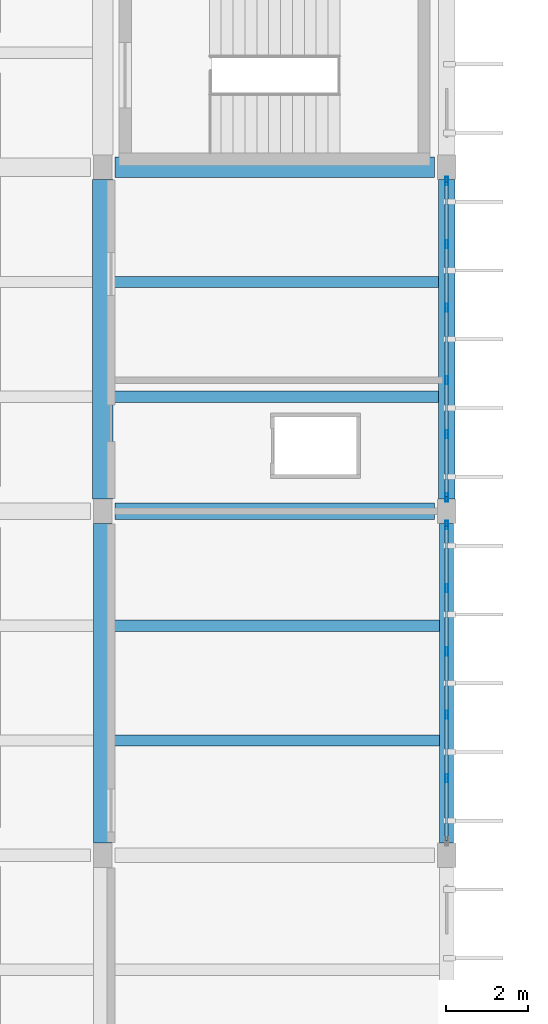
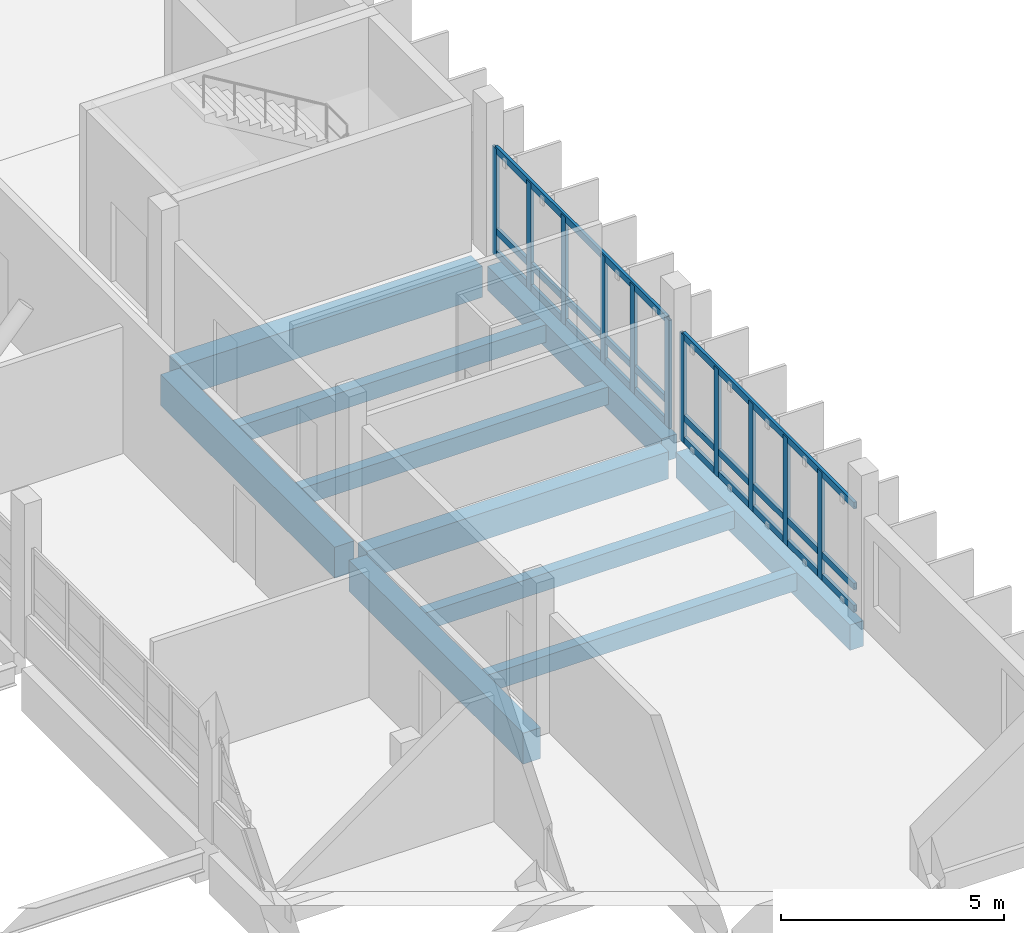
# One storey, part 32 of 107: 17 members, 10 beams, 2 elements without a shape of their own.
"""IFC4 building model written with IfcOpenShell, lengths in metres."""

import ifcopenshell
import ifcopenshell.guid

model = None  # the IFC model being written
_history = None  # IfcOwnerHistory: only IFC2X3 demands one
_inside = {}  # id of a spatial element -> (the spatial element, [elements in it])
_under = {}  # id of a project, library or spatial element -> (it, [spatial elements below it])
_declared = {}  # id of a project -> (the project, [libraries it declares])
_typed = {}  # id of a type object -> (the type object, [elements of that type])
_made_of = {}  # id of a material, layer set ... -> (it, [elements and type objects made of it])


def new_model(schema):
    """Start an empty IFC model of exactly this schema.

    Asked for "IFC4X3", IfcOpenShell would pick the latest addendum, in which some entities
    have other attributes; the version numbers below select the first issue.
    IFC2X3 requires an IfcOwnerHistory on every rooted entity: one is made here for all.
    """
    global model, _history
    if schema == "IFC4X3":
        model = ifcopenshell.file(schema_version=(4, 3, 0, 0))
    else:
        model = ifcopenshell.file(schema=schema)
    _inside.clear()
    _under.clear()
    _declared.clear()
    _typed.clear()
    _made_of.clear()
    _history = None
    if model.schema == "IFC2X3":
        org = make("IfcOrganization", Name="unknown")
        user = make(
            "IfcPersonAndOrganization",
            ThePerson=make("IfcPerson", FamilyName="unknown"),
            TheOrganization=org,
        )
        app = make(
            "IfcApplication",
            ApplicationDeveloper=org,
            Version="unknown",
            ApplicationFullName="unknown",
            ApplicationIdentifier="unknown",
        )
        _history = make(
            "IfcOwnerHistory",
            OwningUser=user,
            OwningApplication=app,
            ChangeAction="ADDED",
            CreationDate=0,
        )
    return model


def make(cls, **values):
    """One entity of the class cls with the attributes given. An attribute that is None is left unset."""
    return model.create_entity(
        cls, **{name: value for name, value in values.items() if value is not None}
    )


def rooted(cls, **values):
    """An entity with a GlobalId (a new one), such as an element, a storey or a relation."""
    return make(cls, GlobalId=ifcopenshell.guid.new(), OwnerHistory=_history, **values)


def si_unit(unit_type, name, prefix=None):
    """IfcSIUnit, for example si_unit("LENGTHUNIT", "METRE", prefix="MILLI")."""
    return make("IfcSIUnit", UnitType=unit_type, Prefix=prefix, Name=name)


def assignment(units):
    """IfcUnitAssignment: the units of a project."""
    return None if units is None else make("IfcUnitAssignment", Units=units)


def point(xyz):
    """IfcCartesianPoint."""
    return None if xyz is None else make("IfcCartesianPoint", Coordinates=xyz)


def direction(xyz):
    """IfcDirection."""
    return None if xyz is None else make("IfcDirection", DirectionRatios=xyz)


def frame(location, z_axis=None, x_axis=None):
    """IfcAxis2Placement3D, a coordinate frame: its origin and axes. An axis left out is left unset."""
    return make(
        "IfcAxis2Placement3D",
        Location=point(location),
        Axis=direction(z_axis),
        RefDirection=direction(x_axis),
    )


def frame_2d(location, x_axis=None):
    """IfcAxis2Placement2D, a coordinate frame in the plane: its origin and x axis."""
    return make(
        "IfcAxis2Placement2D", Location=point(location), RefDirection=direction(x_axis)
    )


def origin():
    """The frame at (0, 0, 0) with its axes left unset."""
    return frame((0.0, 0.0, 0.0))


def origin_2d():
    """The frame at (0, 0) in the plane with its x axis left unset."""
    return frame_2d((0.0, 0.0))


def place(relative_to, where):
    """IfcLocalPlacement: puts the frame where relative to a parent placement (None: the world)."""
    return make(
        "IfcLocalPlacement", PlacementRelTo=relative_to, RelativePlacement=where
    )


def context(
    kind, dimensions, precision=None, world=None, true_north=None, identifier=None
):
    """IfcGeometricRepresentationContext, for example the 3D "Model" context."""
    return make(
        "IfcGeometricRepresentationContext",
        ContextIdentifier=identifier,
        ContextType=kind,
        CoordinateSpaceDimension=dimensions,
        Precision=precision,
        WorldCoordinateSystem=world,
        TrueNorth=true_north,
    )


def subcontext(parent, identifier, kind, view, scale=None):
    """IfcGeometricRepresentationSubContext, for example "Body" below "Model"."""
    return make(
        "IfcGeometricRepresentationSubContext",
        ContextIdentifier=identifier,
        ContextType=kind,
        ParentContext=parent,
        TargetScale=scale,
        TargetView=view,
    )


def project(units=None, contexts=None):
    """IfcProject with its units and contexts."""
    return rooted(
        "IfcProject",
        Name="project",
        RepresentationContexts=contexts,
        UnitsInContext=assignment(units),
    )


def spatial(cls, under=None, at=None, **own):
    """A site, building, storey or space (cls), placed at a placement, below another one or the project."""
    s = rooted(cls, ObjectPlacement=at, **own)
    if under is not None:
        _under.setdefault(under.id(), (under, []))[1].append(s)
    return s


def profile(cls, at=None, kind="AREA", **sizes):
    """A parametric profile (cls). Its sizes go by their IFC names, for example OverallWidth=200.0."""
    return make(cls, ProfileType=kind, Position=at, **sizes)


def rectangle(**sizes):
    """IfcRectangleProfileDef."""
    return profile("IfcRectangleProfileDef", **sizes)


def hollow_rectangle(**sizes):
    """IfcRectangleHollowProfileDef."""
    return profile("IfcRectangleHollowProfileDef", **sizes)


def extrude(swept, where, along, depth):
    """IfcExtrudedAreaSolid: the profile swept, set in the frame where, extruded along a direction by depth."""
    return make(
        "IfcExtrudedAreaSolid",
        SweptArea=swept,
        Position=where,
        ExtrudedDirection=direction(along),
        Depth=depth,
    )


def shape(context_of_items, identifier, shape_type, items):
    """IfcShapeRepresentation: the items that make up one representation, for example the "Body"."""
    return make(
        "IfcShapeRepresentation",
        ContextOfItems=context_of_items,
        RepresentationIdentifier=identifier,
        RepresentationType=shape_type,
        Items=items,
    )


def material(Name=None, Category=None):
    """IfcMaterial."""
    return make("IfcMaterial", Name=Name, Category=Category)


def layer(
    of_material, thickness, ventilated=None, Name=None, Category=None, Priority=None
):
    """IfcMaterialLayer: one layer of a wall or slab, of a material (None: an air gap)."""
    return make(
        "IfcMaterialLayer",
        Material=of_material,
        LayerThickness=thickness,
        IsVentilated=ventilated,
        Name=Name,
        Category=Category,
        Priority=Priority,
    )


def layer_set(layers, Name=None):
    """IfcMaterialLayerSet."""
    return make("IfcMaterialLayerSet", MaterialLayers=layers, LayerSetName=Name)


def material_profile(
    of_material, cross_section, Name=None, Category=None, Priority=None
):
    """IfcMaterialProfile: a cross section and its material."""
    return make(
        "IfcMaterialProfile",
        Name=Name,
        Material=of_material,
        Profile=cross_section,
        Priority=Priority,
        Category=Category,
    )


def profile_set(profiles, Name=None, composite=None):
    """IfcMaterialProfileSet."""
    return make(
        "IfcMaterialProfileSet",
        Name=Name,
        MaterialProfiles=profiles,
        CompositeProfile=composite,
    )


def made_of(thing, what):
    """Note that an element or type object is made of a material, layer set ...; save() writes the relation."""
    if what is not None:
        _made_of.setdefault(what.id(), (what, []))[1].append(thing)
    return thing


def type_object(cls, material=None, **own):
    """A type object (cls), such as IfcWallType, which elements share."""
    return made_of(rooted(cls, **own), material)


def element(
    cls,
    number,
    at=None,
    inside=None,
    cuts=None,
    type_object=None,
    material=None,
    context=None,
    identifier="Body",
    shape_type=None,
    held_by="IfcProductDefinitionShape",
    body=None,
    shapes=None,
    **own,
):
    """One element of the class cls, such as IfcWall. Its Tag is "e" and its number.

    at: its placement. inside: the storey or other place that contains it. cuts: it is an
    opening in that element (IfcRelVoidsElement). A single representation is given by context,
    identifier, shape_type and body (its items); several are given by shapes. held_by: the class
    of the entity that holds the representations. save() writes the other relations.
    """
    e = rooted(cls, Tag="e%d" % number, ObjectPlacement=at, **own)
    if body is not None:
        shapes = [shape(context, identifier, shape_type, body)]
    if shapes is not None:
        e.Representation = make(held_by, Representations=shapes)
    if inside is not None:
        _inside.setdefault(inside.id(), (inside, []))[1].append(e)
    if cuts is not None:
        rooted(
            "IfcRelVoidsElement", RelatingBuildingElement=cuts, RelatedOpeningElement=e
        )
    if type_object is not None:
        _typed.setdefault(type_object.id(), (type_object, []))[1].append(e)
    return made_of(e, material)


def aggregate(whole, parts):
    """IfcRelAggregates: a whole, such as a stair, and the parts it consists of."""
    return rooted("IfcRelAggregates", RelatingObject=whole, RelatedObjects=parts)


def save(model, path):
    """Write the relations noted so far, then the file.

    IfcRelAggregates (storeys below a building ...), IfcRelContainedInSpatialStructure (elements
    in a storey), IfcRelDefinesByType, IfcRelAssociatesMaterial and IfcRelDeclares: one each for
    every whole, place, type object, material and project.
    """
    for whole, parts in _under.values():
        aggregate(whole, parts)
    for where, things in _inside.values():
        rooted(
            "IfcRelContainedInSpatialStructure",
            RelatedElements=things,
            RelatingStructure=where,
        )
    for kind, things in _typed.values():
        rooted("IfcRelDefinesByType", RelatedObjects=things, RelatingType=kind)
    for what, things in _made_of.values():
        rooted("IfcRelAssociatesMaterial", RelatedObjects=things, RelatingMaterial=what)
    for by, libraries in _declared.values():
        rooted("IfcRelDeclares", RelatingContext=by, RelatedDefinitions=libraries)
    model.write(path)


model = new_model("IFC4")

# Units and contexts
model_context = context("Model", 3, precision=1e-05, world=origin(), true_north=direction((0.0, 1.0)))
body_context = subcontext(model_context, "Body", "Model", "MODEL_VIEW")
ifc_project = project(units=[si_unit("LENGTHUNIT", "METRE"), si_unit("AREAUNIT", "SQUARE_METRE"), si_unit("VOLUMEUNIT", "CUBIC_METRE"), si_unit("PLANEANGLEUNIT", "RADIAN"), si_unit("MASSUNIT", "GRAM", prefix="KILO")], contexts=[model_context])

# Site, building, storey
site_placement = place(None, origin())
site = spatial("IfcSite", under=ifc_project, at=site_placement, CompositionType="ELEMENT")
building_placement = place(site_placement, origin())
building = spatial("IfcBuilding", under=site, at=building_placement, Name="Vireocrest Preparatory School", CompositionType="ELEMENT")
storey_placement = place(building_placement, frame((0.0, 0.0, 13.199951171875)))
storey = spatial("IfcBuildingStorey", under=building, at=storey_placement, Name="L03", CompositionType="ELEMENT", Elevation=13.199951171875)

# Curtain wall, members
ifc_material_1 = material(Name="Thermally broken aluminium EN AW-6063-T6", Category="aluminium")
ifc_layer = layer(ifc_material_1, 0.179931640625)
ifc_layer_set = layer_set([ifc_layer], Name="Thermally broken aluminium EN AW-6063-T6")
curtain_wall_type = type_object("IfcCurtainWallType", Name="Teaching Fin Curtain Wall 8400x4200", PredefinedType="USERDEFINED", material=ifc_layer_set)
curtain_wall_1_placement = place(storey_placement, origin())
curtain_wall_1 = element("IfcCurtainWall", 1, at=curtain_wall_1_placement, inside=storey, type_object=curtain_wall_type, Name="Curtain Wall CW03 CW_L03_CW03_1092_0609_132", ObjectType="CURTAIN WALL", PredefinedType="USERDEFINED")
ifc_material_profile_1 = material_profile(ifc_material_1, hollow_rectangle(XDim=0.074951171875, YDim=0.199951171875, WallThickness=0.0048828125, at=origin_2d()), Name="ALU 75x200x5")
ifc_profile_set_1 = profile_set([ifc_material_profile_1], Name="Thermally broken aluminium EN AW-6063-T6")
member_type_1 = type_object("IfcMemberType", Name="CW Mullion 75x200x5", PredefinedType="MULLION", material=ifc_profile_set_1)
member_1_placement = place(storey_placement, frame((109.199951171875, 62.48095703125, 0.0), z_axis=(0.0, 0.0, 1.0), x_axis=(1.0, 0.0, 0.0)))
member_1 = element("IfcMember", 2, at=member_1_placement, type_object=member_type_1, Name="CW Mullion ML3 CW_L03_CW03_1092_0609_132-2", PredefinedType="MULLION", context=body_context, shape_type="SweptSolid", body=[
    extrude(hollow_rectangle(XDim=0.074951171875, YDim=0.199951171875, WallThickness=0.0048828125, at=origin_2d()), origin(), (0.0, 0.0, 1.0), 2.955078125),
])
member_2_placement = place(storey_placement, frame((109.199951171875, 64.027099609375, 0.0), z_axis=(0.0, 0.0, 1.0), x_axis=(1.0, 0.0, 0.0)))
member_2 = element("IfcMember", 3, at=member_2_placement, type_object=member_type_1, Name="CW Mullion ML3 CW_L03_CW03_1092_0609_132-3", PredefinedType="MULLION", context=body_context, shape_type="SweptSolid", body=[
    extrude(hollow_rectangle(XDim=0.074951171875, YDim=0.199951171875, WallThickness=0.0048828125, at=origin_2d()), origin(), (0.0, 0.0, 1.0), 2.955078125),
])
member_3_placement = place(storey_placement, frame((109.199951171875, 65.572998046875, 0.0), z_axis=(0.0, 0.0, 1.0), x_axis=(1.0, 0.0, 0.0)))
member_3 = element("IfcMember", 4, at=member_3_placement, type_object=member_type_1, Name="CW Mullion ML3 CW_L03_CW03_1092_0609_132-4", PredefinedType="MULLION", context=body_context, shape_type="SweptSolid", body=[
    extrude(hollow_rectangle(XDim=0.074951171875, YDim=0.199951171875, WallThickness=0.0048828125, at=origin_2d()), origin(), (0.0, 0.0, 1.0), 2.955078125),
])
member_4_placement = place(storey_placement, frame((109.199951171875, 67.118896484375, 0.0), z_axis=(0.0, 0.0, 1.0), x_axis=(1.0, 0.0, 0.0)))
member_4 = element("IfcMember", 5, at=member_4_placement, type_object=member_type_1, Name="CW Mullion ML3 CW_L03_CW03_1092_0609_132-5", PredefinedType="MULLION", context=body_context, shape_type="SweptSolid", body=[
    extrude(hollow_rectangle(XDim=0.074951171875, YDim=0.199951171875, WallThickness=0.0048828125, at=origin_2d()), origin(), (0.0, 0.0, 1.0), 2.955078125),
])
member_5_placement = place(storey_placement, frame((109.199951171875, 68.6650390625, 0.0), z_axis=(0.0, 0.0, 1.0), x_axis=(1.0, 0.0, 0.0)))
member_5 = element("IfcMember", 6, at=member_5_placement, type_object=member_type_1, Name="CW Mullion ML3 CW_L03_CW03_1092_0609_132-6", PredefinedType="MULLION", context=body_context, shape_type="SweptSolid", body=[
    extrude(hollow_rectangle(XDim=0.074951171875, YDim=0.199951171875, WallThickness=0.0048828125, at=origin_2d()), origin(), (0.0, 0.0, 1.0), 2.955078125),
])

curtain_wall_2_placement = place(storey_placement, origin())
curtain_wall_2 = element("IfcCurtainWall", 7, at=curtain_wall_2_placement, inside=storey, type_object=curtain_wall_type, Name="Curtain Wall CW03 CW_L03_CW03_1092_0693_132", ObjectType="CURTAIN WALL", PredefinedType="USERDEFINED")
member_6_placement = place(storey_placement, frame((109.199951171875, 69.3349609375, 0.0), z_axis=(0.0, 0.0, 1.0), x_axis=(1.0, 0.0, 0.0)))
member_6 = element("IfcMember", 8, at=member_6_placement, type_object=member_type_1, Name="CW Mullion ML3 CW_L03_CW03_1092_0693_132-1", PredefinedType="MULLION", context=body_context, shape_type="SweptSolid", body=[
    extrude(hollow_rectangle(XDim=0.074951171875, YDim=0.199951171875, WallThickness=0.0048828125, at=origin_2d()), origin(), (0.0, 0.0, 1.0), 2.955078125),
])
member_7_placement = place(storey_placement, frame((109.199951171875, 70.881103515625, 0.0), z_axis=(0.0, 0.0, 1.0), x_axis=(1.0, 0.0, 0.0)))
member_7 = element("IfcMember", 9, at=member_7_placement, type_object=member_type_1, Name="CW Mullion ML3 CW_L03_CW03_1092_0693_132-2", PredefinedType="MULLION", context=body_context, shape_type="SweptSolid", body=[
    extrude(hollow_rectangle(XDim=0.074951171875, YDim=0.199951171875, WallThickness=0.0048828125, at=origin_2d()), origin(), (0.0, 0.0, 1.0), 2.955078125),
])
member_8_placement = place(storey_placement, frame((109.199951171875, 72.199951171875, 0.0), z_axis=(0.0, 0.0, 1.0), x_axis=(1.0, 0.0, 0.0)))
member_8 = element("IfcMember", 10, at=member_8_placement, type_object=member_type_1, Name="CW Mullion ML3 CW_L03_CW03_1092_0693_132-3", PredefinedType="MULLION", context=body_context, shape_type="SweptSolid", body=[
    extrude(hollow_rectangle(XDim=0.074951171875, YDim=0.199951171875, WallThickness=0.0048828125, at=origin_2d()), origin(), (0.0, 0.0, 1.0), 2.955078125),
])
member_9_placement = place(storey_placement, frame((109.199951171875, 73.972900390625, 0.0), z_axis=(0.0, 0.0, 1.0), x_axis=(1.0, 0.0, 0.0)))
member_9 = element("IfcMember", 11, at=member_9_placement, type_object=member_type_1, Name="CW Mullion ML3 CW_L03_CW03_1092_0693_132-4", PredefinedType="MULLION", context=body_context, shape_type="SweptSolid", body=[
    extrude(hollow_rectangle(XDim=0.074951171875, YDim=0.199951171875, WallThickness=0.0048828125, at=origin_2d()), origin(), (0.0, 0.0, 1.0), 2.955078125),
])
member_10_placement = place(storey_placement, frame((109.199951171875, 75.51904296875, 0.0), z_axis=(0.0, 0.0, 1.0), x_axis=(1.0, 0.0, 0.0)))
member_10 = element("IfcMember", 12, at=member_10_placement, type_object=member_type_1, Name="CW Mullion ML3 CW_L03_CW03_1092_0693_132-5", PredefinedType="MULLION", context=body_context, shape_type="SweptSolid", body=[
    extrude(hollow_rectangle(XDim=0.074951171875, YDim=0.199951171875, WallThickness=0.0048828125, at=origin_2d()), origin(), (0.0, 0.0, 1.0), 2.955078125),
])
member_11_placement = place(storey_placement, frame((109.199951171875, 77.06494140625, 0.0), z_axis=(0.0, 0.0, 1.0), x_axis=(1.0, 0.0, 0.0)))
member_11 = element("IfcMember", 13, at=member_11_placement, type_object=member_type_1, Name="CW Mullion ML3 CW_L03_CW03_1092_0693_132-6", PredefinedType="MULLION", context=body_context, shape_type="SweptSolid", body=[
    extrude(hollow_rectangle(XDim=0.074951171875, YDim=0.199951171875, WallThickness=0.0048828125, at=origin_2d()), origin(), (0.0, 0.0, 1.0), 2.955078125),
])

# Member
ifc_material_profile_2 = material_profile(ifc_material_1, hollow_rectangle(XDim=0.074951171875, YDim=0.18994140625, WallThickness=0.00390625, at=origin_2d()), Name="ALU 75x190x4")
ifc_profile_set_2 = profile_set([ifc_material_profile_2], Name="Thermally broken aluminium EN AW-6063-T6")
member_type_2 = type_object("IfcMemberType", Name="CW Transom 75x190x4", PredefinedType="USERDEFINED", material=ifc_profile_set_2)
member_12_placement = place(storey_placement, frame((109.199951171875, 60.9599609375, 0.094970703125), z_axis=(0.0, 1.0, 0.0), x_axis=(-1.0, 0.0, 0.0)))
member_12 = element("IfcMember", 14, at=member_12_placement, type_object=member_type_2, Name="CW Transom TR3 CW_L03_CW03_1092_0609_132-1", ObjectType="TRANSOM", PredefinedType="USERDEFINED", context=body_context, shape_type="SweptSolid", body=[
    extrude(hollow_rectangle(XDim=0.074951171875, YDim=0.18994140625, WallThickness=0.00390625, at=origin_2d()), origin(), (0.0, 0.0, 1.0), 7.679931640625),
])

member_13_placement = place(storey_placement, frame((109.199951171875, 60.9599609375, 0.699951171875), z_axis=(0.0, 1.0, 0.0), x_axis=(-1.0, 0.0, 0.0)))
member_13 = element("IfcMember", 15, at=member_13_placement, type_object=member_type_2, Name="CW Transom TR3 CW_L03_CW03_1092_0609_132-2", ObjectType="TRANSOM", PredefinedType="USERDEFINED", context=body_context, shape_type="SweptSolid", body=[
    extrude(hollow_rectangle(XDim=0.074951171875, YDim=0.18994140625, WallThickness=0.00390625, at=origin_2d()), origin(), (0.0, 0.0, 1.0), 7.679931640625),
])

member_14_placement = place(storey_placement, frame((109.199951171875, 60.9599609375, 2.9150390625), z_axis=(0.0, 1.0, 0.0), x_axis=(-1.0, 0.0, 0.0)))
member_14 = element("IfcMember", 16, at=member_14_placement, type_object=member_type_2, Name="CW Transom TR3 CW_L03_CW03_1092_0609_132-3", ObjectType="TRANSOM", PredefinedType="USERDEFINED", context=body_context, shape_type="SweptSolid", body=[
    extrude(hollow_rectangle(XDim=0.074951171875, YDim=0.18994140625, WallThickness=0.00390625, at=origin_2d()), origin(), (0.0, 0.0, 1.0), 7.679931640625),
])

aggregate(curtain_wall_1, [member_1, member_2, member_3, member_4, member_5, member_12, member_13, member_14])

member_15_placement = place(storey_placement, frame((109.199951171875, 69.360107421875, 0.094970703125), z_axis=(0.0, 1.0, 0.0), x_axis=(-1.0, 0.0, 0.0)))
member_15 = element("IfcMember", 17, at=member_15_placement, type_object=member_type_2, Name="CW Transom TR3 CW_L03_CW03_1092_0693_132-1", ObjectType="TRANSOM", PredefinedType="USERDEFINED", context=body_context, shape_type="SweptSolid", body=[
    extrude(hollow_rectangle(XDim=0.074951171875, YDim=0.18994140625, WallThickness=0.00390625, at=origin_2d()), origin(), (0.0, 0.0, 1.0), 7.679931640625),
])

member_16_placement = place(storey_placement, frame((109.199951171875, 69.360107421875, 0.699951171875), z_axis=(0.0, 1.0, 0.0), x_axis=(-1.0, 0.0, 0.0)))
member_16 = element("IfcMember", 18, at=member_16_placement, type_object=member_type_2, Name="CW Transom TR3 CW_L03_CW03_1092_0693_132-2", ObjectType="TRANSOM", PredefinedType="USERDEFINED", context=body_context, shape_type="SweptSolid", body=[
    extrude(hollow_rectangle(XDim=0.074951171875, YDim=0.18994140625, WallThickness=0.00390625, at=origin_2d()), origin(), (0.0, 0.0, 1.0), 7.679931640625),
])

member_17_placement = place(storey_placement, frame((109.199951171875, 69.360107421875, 2.9150390625), z_axis=(0.0, 1.0, 0.0), x_axis=(-1.0, 0.0, 0.0)))
member_17 = element("IfcMember", 19, at=member_17_placement, type_object=member_type_2, Name="CW Transom TR3 CW_L03_CW03_1092_0693_132-3", ObjectType="TRANSOM", PredefinedType="USERDEFINED", context=body_context, shape_type="SweptSolid", body=[
    extrude(hollow_rectangle(XDim=0.074951171875, YDim=0.18994140625, WallThickness=0.00390625, at=origin_2d()), origin(), (0.0, 0.0, 1.0), 7.679931640625),
])

aggregate(curtain_wall_2, [member_6, member_7, member_8, member_9, member_10, member_11, member_15, member_16, member_17])

# Beams
ifc_material_2 = material(Name="Concrete 40 MPa", Category="concrete")
ifc_material_profile_3 = material_profile(ifc_material_2, rectangle(XDim=0.39990234375, YDim=0.75, at=origin_2d()), Name="RC 400x750")
ifc_profile_set_3 = profile_set([ifc_material_profile_3], Name="Concrete 40 MPa")
beam_type_1 = type_object("IfcBeamType", Name="RC Commons Girder 400x750", PredefinedType="BEAM", material=ifc_profile_set_3)
beam_1_placement = place(storey_placement, frame((101.10009765625, 69.0, -0.635009765625), z_axis=(1.0, 0.0, 0.0), x_axis=(0.0, 1.0, 0.0)))
element("IfcBeam", 20, at=beam_1_placement, inside=storey, type_object=beam_type_1, Name="Primary Girder B09 L03-1069", PredefinedType="BEAM", context=body_context, shape_type="SweptSolid", body=[
    extrude(rectangle(XDim=0.39990234375, YDim=0.75, at=origin_2d()), origin(), (0.0, 0.0, 1.0), 7.7998046875),
])
ifc_material_profile_4 = material_profile(ifc_material_2, rectangle(XDim=0.449951171875, YDim=0.85009765625, at=origin_2d()), Name="RC 450x850")
ifc_profile_set_4 = profile_set([ifc_material_profile_4], Name="Concrete 40 MPa")
beam_type_2 = type_object("IfcBeamType", Name="RC Heavy Floor Girder 450x850", PredefinedType="BEAM", material=ifc_profile_set_4)
beam_2_placement = place(storey_placement, frame((100.800048828125, 60.89990234375, -0.68505859375), z_axis=(0.0, 1.0, 0.0), x_axis=(-1.0, 0.0, 0.0)))
element("IfcBeam", 21, at=beam_2_placement, inside=storey, type_object=beam_type_2, Name="Primary Girder B13 L03-1158", PredefinedType="BEAM", context=body_context, shape_type="SweptSolid", body=[
    extrude(rectangle(XDim=0.449951171875, YDim=0.85009765625, at=origin_2d()), origin(), (0.0, 0.0, 1.0), 7.800048828125),
])
ifc_material_profile_5 = material_profile(ifc_material_2, rectangle(XDim=0.35009765625, YDim=0.699951171875, at=origin_2d()), Name="RC 350x700")
ifc_profile_set_5 = profile_set([ifc_material_profile_5], Name="Concrete 40 MPa")
beam_type_3 = type_object("IfcBeamType", Name="RC Laboratory Girder 350x700", PredefinedType="BEAM", material=ifc_profile_set_5)
beam_3_placement = place(storey_placement, frame((109.199951171875, 60.89990234375, -0.60986328125), z_axis=(0.0, 1.0, 0.0), x_axis=(-1.0, 0.0, 0.0)))
element("IfcBeam", 22, at=beam_3_placement, inside=storey, type_object=beam_type_3, Name="Primary Girder B06 L03-1169", PredefinedType="BEAM", context=body_context, shape_type="SweptSolid", body=[
    extrude(rectangle(XDim=0.35009765625, YDim=0.699951171875, at=origin_2d()), origin(), (0.0, 0.0, 1.0), 7.800048828125),
])
ifc_material_profile_6 = material_profile(ifc_material_2, rectangle(XDim=0.39990234375, YDim=0.64990234375, at=origin_2d()), Name="RC 400x650")
ifc_profile_set_6 = profile_set([ifc_material_profile_6], Name="Concrete 40 MPa")
beam_type_4 = type_object("IfcBeamType", Name="RC Laboratory Girder 400x650", PredefinedType="BEAM", material=ifc_profile_set_6)
beam_4_placement = place(storey_placement, frame((109.199951171875, 69.300048828125, -0.5849609375), z_axis=(0.0, 1.0, 0.0), x_axis=(-1.0, 0.0, 0.0)))
element("IfcBeam", 23, at=beam_4_placement, inside=storey, type_object=beam_type_4, Name="Primary Girder B07 L03-1170", PredefinedType="BEAM", context=body_context, shape_type="SweptSolid", body=[
    extrude(rectangle(XDim=0.39990234375, YDim=0.64990234375, at=origin_2d()), origin(), (0.0, 0.0, 1.0), 7.800048828125),
])
ifc_material_profile_7 = material_profile(ifc_material_2, rectangle(XDim=0.5, YDim=0.85009765625, at=origin_2d()), Name="RC 500x850")
ifc_profile_set_7 = profile_set([ifc_material_profile_7], Name="Concrete 40 MPa")
beam_type_5 = type_object("IfcBeamType", Name="RC Podium Girder 500x850", PredefinedType="BEAM", material=ifc_profile_set_7)
beam_5_placement = place(storey_placement, frame((101.10009765625, 77.39990234375, -0.68505859375), z_axis=(1.0, 0.0, 0.0), x_axis=(0.0, 1.0, 0.0)))
element("IfcBeam", 24, at=beam_5_placement, inside=storey, type_object=beam_type_5, Name="Primary Girder B14 L03-1074", PredefinedType="BEAM", context=body_context, shape_type="SweptSolid", body=[
    extrude(rectangle(XDim=0.5, YDim=0.85009765625, at=origin_2d()), origin(), (0.0, 0.0, 1.0), 7.7998046875),
])
beam_6_placement = place(storey_placement, frame((100.800048828125, 69.300048828125, -0.68505859375), z_axis=(0.0, 1.0, 0.0), x_axis=(-1.0, 0.0, 0.0)))
element("IfcBeam", 25, at=beam_6_placement, inside=storey, type_object=beam_type_5, Name="Primary Girder B14 L03-1159", PredefinedType="BEAM", context=body_context, shape_type="SweptSolid", body=[
    extrude(rectangle(XDim=0.5, YDim=0.85009765625, at=origin_2d()), origin(), (0.0, 0.0, 1.0), 7.800048828125),
])
ifc_material_profile_8 = material_profile(ifc_material_2, rectangle(XDim=0.280029296875, YDim=0.47998046875, at=origin_2d()), Name="RC 280x480")
ifc_profile_set_8 = profile_set([ifc_material_profile_8], Name="Concrete 40 MPa")
beam_type_6 = type_object("IfcBeamType", Name="RC Secondary Lab Joist 280x480", PredefinedType="JOIST", material=ifc_profile_set_8)
for number, where, z_axis, x_axis, name in (
    (26, (101.02490234375, 63.39990234375, -0.5), (1.0, 0.0, 0.0), (0.0, 1.0, 0.0), "Secondary Joist J02 L03-1267"),
    (27, (101.02490234375, 66.199951171875, -0.5), (1.0, 0.0, 0.0), (0.0, 1.0, 0.0), "Secondary Joist J02 L03-1268"),
):
    element("IfcBeam", number, at=place(storey_placement, frame(where, z_axis=z_axis, x_axis=x_axis)), inside=storey, type_object=beam_type_6, Name=name, PredefinedType="JOIST", context=body_context, shape_type="SweptSolid", body=[
        extrude(rectangle(XDim=0.280029296875, YDim=0.47998046875, at=origin_2d()), origin(), (0.0, 0.0, 1.0), 8.0),
    ])
for number, where, z_axis, x_axis, name in (
    (28, (101.050048828125, 71.800048828125, -0.5), (1.0, 0.0, 0.0), (0.0, 1.0, 0.0), "Secondary Joist J02 L03-1269"),
    (29, (101.050048828125, 74.60009765625, -0.5), (1.0, 0.0, 0.0), (0.0, 1.0, 0.0), "Secondary Joist J02 L03-1270"),
):
    element("IfcBeam", number, at=place(storey_placement, frame(where, z_axis=z_axis, x_axis=x_axis)), inside=storey, type_object=beam_type_6, Name=name, PredefinedType="JOIST", context=body_context, shape_type="SweptSolid", body=[
        extrude(rectangle(XDim=0.280029296875, YDim=0.47998046875, at=origin_2d()), origin(), (0.0, 0.0, 1.0), 7.949951171875),
    ])

save(model, "model.ifc")
